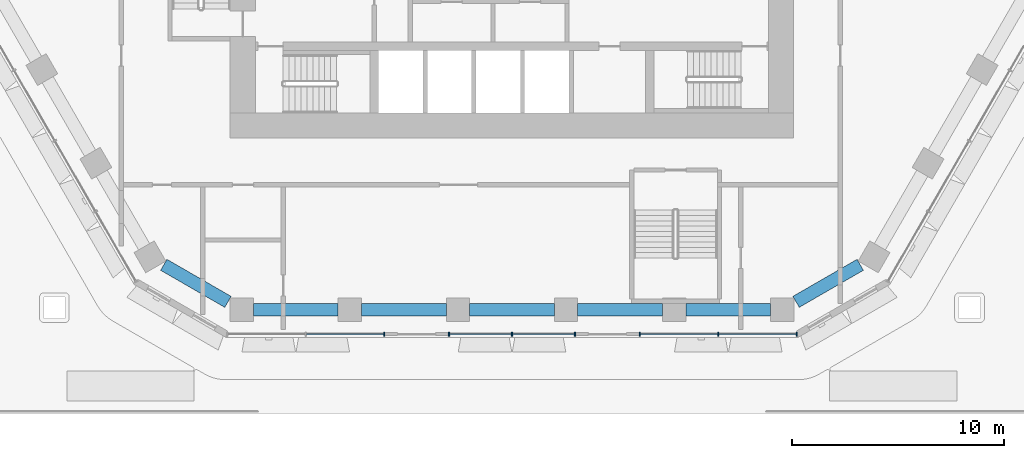
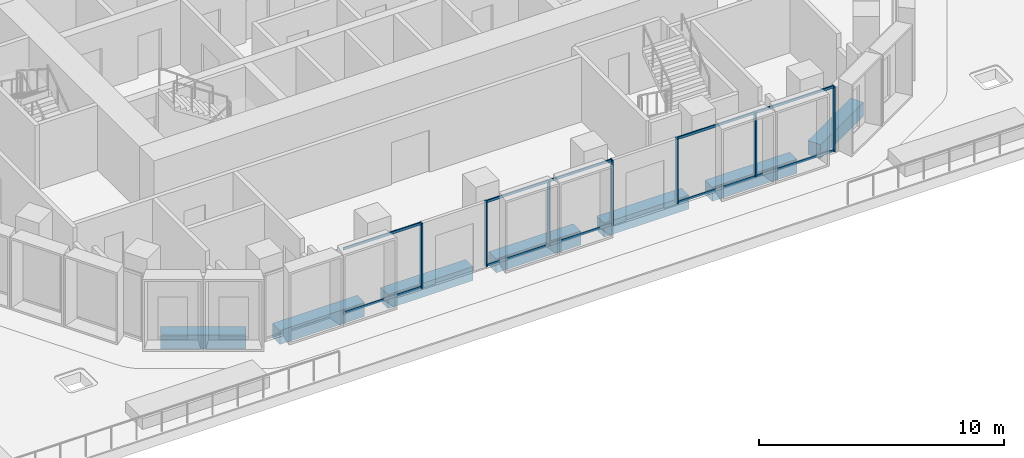
# One storey, part 7 of 38: 17 members, 7 beams, 3 elements without a shape of their own.
"""IFC4 building model written with IfcOpenShell, lengths in metres."""

from ifc_helpers import new_model, si_unit, direction, frame, origin, origin_2d, place, context, subcontext, project, spatial, rectangle, hollow_rectangle, extrude, material, material_profile, profile_set, type_object, element, aggregate, save


model = new_model("IFC4")

# Units and contexts
model_context = context("Model", 3, precision=1e-05, world=origin(), true_north=direction((0.0, 1.0)))
body_context = subcontext(model_context, "Body", "Model", "MODEL_VIEW")
ifc_project = project(units=[si_unit("LENGTHUNIT", "METRE"), si_unit("AREAUNIT", "SQUARE_METRE"), si_unit("VOLUMEUNIT", "CUBIC_METRE"), si_unit("PLANEANGLEUNIT", "RADIAN"), si_unit("MASSUNIT", "GRAM", prefix="KILO")], contexts=[model_context])

# Site, building, storey
site_placement = place(None, origin())
site = spatial("IfcSite", under=ifc_project, at=site_placement, CompositionType="ELEMENT")
building_placement = place(site_placement, origin())
building = spatial("IfcBuilding", under=site, at=building_placement, Name="Beryl Residences", CompositionType="ELEMENT")
storey_placement = place(building_placement, frame((0.0, 0.0, 9.0)))
storey = spatial("IfcBuildingStorey", under=building, at=storey_placement, Name="L02", CompositionType="ELEMENT", Elevation=9.0)

# Curtain wall, member
ifc_material_1 = material(Name="Aluminium and clear glass", Category="aluminium")
curtain_wall_type = type_object("IfcCurtainWallType", Name="CW2 amenity glazing glazed wall", PredefinedType="NOTDEFINED", material=ifc_material_1)
curtain_wall_1_placement = place(storey_placement, origin())
curtain_wall_1 = element("IfcCurtainWall", 1, at=curtain_wall_1_placement, inside=storey, type_object=curtain_wall_type, Name="CW2 L02 S", PredefinedType="NOTDEFINED")
ifc_material_2 = material(Name="Aluminium", Category="aluminium")
ifc_material_profile_1 = material_profile(ifc_material_2, rectangle(XDim=0.06005859375, YDim=0.179931640625, at=origin_2d()))
ifc_profile_set_1 = profile_set([ifc_material_profile_1], Name="Aluminium")
member_type_1 = type_object("IfcMemberType", Name="CW2-M mullion 60 x 180 mm", PredefinedType="MULLION", material=ifc_profile_set_1)
member_1_placement = place(storey_placement, frame((-6.030029296875, -28.25, 0.0), z_axis=(0.0, 0.0, 1.0), x_axis=(1.0, 0.0, 0.0)))
member_1 = element("IfcMember", 2, at=member_1_placement, type_object=member_type_1, Name="CW2 mullion 3", PredefinedType="MULLION", context=body_context, shape_type="SweptSolid", body=[
    extrude(rectangle(XDim=0.06005859375, YDim=0.179931640625, at=origin_2d()), origin(), (0.0, 0.0, 1.0), 3.25),
])

# Curtain wall, members
curtain_wall_2_placement = place(storey_placement, origin())
curtain_wall_2 = element("IfcCurtainWall", 3, at=curtain_wall_2_placement, inside=storey, type_object=curtain_wall_type, Name="CW2 L02 S", PredefinedType="NOTDEFINED")
member_2_placement = place(storey_placement, frame((-2.969970703125, -28.25, 0.0), z_axis=(0.0, 0.0, 1.0), x_axis=(1.0, 0.0, 0.0)))
member_2 = element("IfcMember", 4, at=member_2_placement, type_object=member_type_1, Name="CW2 mullion 1", PredefinedType="MULLION", context=body_context, shape_type="SweptSolid", body=[
    extrude(rectangle(XDim=0.06005859375, YDim=0.179931640625, at=origin_2d()), origin(), (0.0, 0.0, 1.0), 3.25),
])
member_3_placement = place(storey_placement, frame((0.0, -28.25, 0.0), z_axis=(0.0, 0.0, 1.0), x_axis=(1.0, 0.0, 0.0)))
member_3 = element("IfcMember", 5, at=member_3_placement, type_object=member_type_1, Name="CW2 mullion 2", PredefinedType="MULLION", context=body_context, shape_type="SweptSolid", body=[
    extrude(rectangle(XDim=0.06005859375, YDim=0.179931640625, at=origin_2d()), origin(), (0.0, 0.0, 1.0), 3.25),
])
member_4_placement = place(storey_placement, frame((2.969970703125, -28.25, 0.0), z_axis=(0.0, 0.0, 1.0), x_axis=(1.0, 0.0, 0.0)))
member_4 = element("IfcMember", 6, at=member_4_placement, type_object=member_type_1, Name="CW2 mullion 3", PredefinedType="MULLION", context=body_context, shape_type="SweptSolid", body=[
    extrude(rectangle(XDim=0.06005859375, YDim=0.179931640625, at=origin_2d()), origin(), (0.0, 0.0, 1.0), 3.25),
])

curtain_wall_3_placement = place(storey_placement, origin())
curtain_wall_3 = element("IfcCurtainWall", 7, at=curtain_wall_3_placement, inside=storey, type_object=curtain_wall_type, Name="CW2 L02 S", PredefinedType="NOTDEFINED")
member_5_placement = place(storey_placement, frame((6.030029296875, -28.25, 0.0), z_axis=(0.0, 0.0, 1.0), x_axis=(1.0, 0.0, 0.0)))
member_5 = element("IfcMember", 8, at=member_5_placement, type_object=member_type_1, Name="CW2 mullion 1", PredefinedType="MULLION", context=body_context, shape_type="SweptSolid", body=[
    extrude(rectangle(XDim=0.06005859375, YDim=0.179931640625, at=origin_2d()), origin(), (0.0, 0.0, 1.0), 3.25),
])
member_6_placement = place(storey_placement, frame((9.735107421875, -28.25, 0.0), z_axis=(0.0, 0.0, 1.0), x_axis=(1.0, 0.0, 0.0)))
member_6 = element("IfcMember", 9, at=member_6_placement, type_object=member_type_1, Name="CW2 mullion 2", PredefinedType="MULLION", context=body_context, shape_type="SweptSolid", body=[
    extrude(rectangle(XDim=0.06005859375, YDim=0.179931640625, at=origin_2d()), origin(), (0.0, 0.0, 1.0), 3.25),
])
member_7_placement = place(storey_placement, frame((13.43994140625, -28.25, 0.0), z_axis=(0.0, 0.0, 1.0), x_axis=(1.0, 0.0, 0.0)))
member_7 = element("IfcMember", 10, at=member_7_placement, type_object=member_type_1, Name="CW2 mullion 3", PredefinedType="MULLION", context=body_context, shape_type="SweptSolid", body=[
    extrude(rectangle(XDim=0.06005859375, YDim=0.179931640625, at=origin_2d()), origin(), (0.0, 0.0, 1.0), 3.25),
])

# Member
ifc_material_3 = material(Name="Aluminium", Category="aluminium")
ifc_material_profile_2 = material_profile(ifc_material_3, hollow_rectangle(XDim=0.06005859375, YDim=0.1201171875, WallThickness=0.00390625, at=origin_2d()))
ifc_profile_set_2 = profile_set([ifc_material_profile_2], Name="Aluminium")
member_type_2 = type_object("IfcMemberType", Name="CW2-T transom 60 x 120 mm", PredefinedType="USERDEFINED", material=ifc_profile_set_2)
member_8_placement = place(storey_placement, frame((-9.705078125, -28.25, 0.030029296875), z_axis=(1.0, 0.0, 0.0), x_axis=(0.0, 1.0, 0.0)))
member_8 = element("IfcMember", 11, at=member_8_placement, type_object=member_type_2, Name="CW2 transom 2.1", ObjectType="TRANSOM", PredefinedType="USERDEFINED", context=body_context, shape_type="SweptSolid", body=[
    extrude(hollow_rectangle(XDim=0.06005859375, YDim=0.1201171875, WallThickness=0.00390625, at=origin_2d()), origin(), (0.0, 0.0, 1.0), 3.64501953125),
])

member_9_placement = place(storey_placement, frame((-9.705078125, -28.25, 3.219970703125), z_axis=(1.0, 0.0, 0.0), x_axis=(0.0, 1.0, 0.0)))
member_9 = element("IfcMember", 12, at=member_9_placement, type_object=member_type_2, Name="CW2 transom 2.2", ObjectType="TRANSOM", PredefinedType="USERDEFINED", context=body_context, shape_type="SweptSolid", body=[
    extrude(hollow_rectangle(XDim=0.06005859375, YDim=0.1201171875, WallThickness=0.00390625, at=origin_2d()), origin(), (0.0, 0.0, 1.0), 3.64501953125),
])

aggregate(curtain_wall_1, [member_1, member_8, member_9])

member_10_placement = place(storey_placement, frame((-2.93994140625, -28.25, 0.030029296875), z_axis=(1.0, 0.0, 0.0), x_axis=(0.0, 1.0, 0.0)))
member_10 = element("IfcMember", 13, at=member_10_placement, type_object=member_type_2, Name="CW2 transom 1.1", ObjectType="TRANSOM", PredefinedType="USERDEFINED", context=body_context, shape_type="SweptSolid", body=[
    extrude(hollow_rectangle(XDim=0.06005859375, YDim=0.1201171875, WallThickness=0.00390625, at=origin_2d()), origin(), (0.0, 0.0, 1.0), 2.909912109375),
])

member_11_placement = place(storey_placement, frame((-2.93994140625, -28.25, 3.219970703125), z_axis=(1.0, 0.0, 0.0), x_axis=(0.0, 1.0, 0.0)))
member_11 = element("IfcMember", 14, at=member_11_placement, type_object=member_type_2, Name="CW2 transom 1.2", ObjectType="TRANSOM", PredefinedType="USERDEFINED", context=body_context, shape_type="SweptSolid", body=[
    extrude(hollow_rectangle(XDim=0.06005859375, YDim=0.1201171875, WallThickness=0.00390625, at=origin_2d()), origin(), (0.0, 0.0, 1.0), 2.909912109375),
])

member_12_placement = place(storey_placement, frame((0.030029296875, -28.25, 0.030029296875), z_axis=(1.0, 0.0, 0.0), x_axis=(0.0, 1.0, 0.0)))
member_12 = element("IfcMember", 15, at=member_12_placement, type_object=member_type_2, Name="CW2 transom 2.1", ObjectType="TRANSOM", PredefinedType="USERDEFINED", context=body_context, shape_type="SweptSolid", body=[
    extrude(hollow_rectangle(XDim=0.06005859375, YDim=0.1201171875, WallThickness=0.00390625, at=origin_2d()), origin(), (0.0, 0.0, 1.0), 2.909912109375),
])

member_13_placement = place(storey_placement, frame((0.030029296875, -28.25, 3.219970703125), z_axis=(1.0, 0.0, 0.0), x_axis=(0.0, 1.0, 0.0)))
member_13 = element("IfcMember", 16, at=member_13_placement, type_object=member_type_2, Name="CW2 transom 2.2", ObjectType="TRANSOM", PredefinedType="USERDEFINED", context=body_context, shape_type="SweptSolid", body=[
    extrude(hollow_rectangle(XDim=0.06005859375, YDim=0.1201171875, WallThickness=0.00390625, at=origin_2d()), origin(), (0.0, 0.0, 1.0), 2.909912109375),
])

aggregate(curtain_wall_2, [member_2, member_3, member_4, member_10, member_11, member_12, member_13])

member_14_placement = place(storey_placement, frame((6.06005859375, -28.25, 0.030029296875), z_axis=(1.0, 0.0, 0.0), x_axis=(0.0, 1.0, 0.0)))
member_14 = element("IfcMember", 17, at=member_14_placement, type_object=member_type_2, Name="CW2 transom 1.1", ObjectType="TRANSOM", PredefinedType="USERDEFINED", context=body_context, shape_type="SweptSolid", body=[
    extrude(hollow_rectangle(XDim=0.06005859375, YDim=0.1201171875, WallThickness=0.00390625, at=origin_2d()), origin(), (0.0, 0.0, 1.0), 3.64501953125),
])

member_15_placement = place(storey_placement, frame((6.06005859375, -28.25, 3.219970703125), z_axis=(1.0, 0.0, 0.0), x_axis=(0.0, 1.0, 0.0)))
member_15 = element("IfcMember", 18, at=member_15_placement, type_object=member_type_2, Name="CW2 transom 1.2", ObjectType="TRANSOM", PredefinedType="USERDEFINED", context=body_context, shape_type="SweptSolid", body=[
    extrude(hollow_rectangle(XDim=0.06005859375, YDim=0.1201171875, WallThickness=0.00390625, at=origin_2d()), origin(), (0.0, 0.0, 1.0), 3.64501953125),
])

member_16_placement = place(storey_placement, frame((9.764892578125, -28.25, 0.030029296875), z_axis=(1.0, 0.0, 0.0), x_axis=(0.0, 1.0, 0.0)))
member_16 = element("IfcMember", 19, at=member_16_placement, type_object=member_type_2, Name="CW2 transom 2.1", ObjectType="TRANSOM", PredefinedType="USERDEFINED", context=body_context, shape_type="SweptSolid", body=[
    extrude(hollow_rectangle(XDim=0.06005859375, YDim=0.1201171875, WallThickness=0.00390625, at=origin_2d()), origin(), (0.0, 0.0, 1.0), 3.64501953125),
])

member_17_placement = place(storey_placement, frame((9.764892578125, -28.25, 3.219970703125), z_axis=(1.0, 0.0, 0.0), x_axis=(0.0, 1.0, 0.0)))
member_17 = element("IfcMember", 20, at=member_17_placement, type_object=member_type_2, Name="CW2 transom 2.2", ObjectType="TRANSOM", PredefinedType="USERDEFINED", context=body_context, shape_type="SweptSolid", body=[
    extrude(hollow_rectangle(XDim=0.06005859375, YDim=0.1201171875, WallThickness=0.00390625, at=origin_2d()), origin(), (0.0, 0.0, 1.0), 3.64501953125),
])

aggregate(curtain_wall_3, [member_5, member_6, member_7, member_14, member_15, member_16, member_17])

# Beams
ifc_material_4 = material(Name="Concrete C80/95", Category="concrete")
ifc_material_profile_3 = material_profile(ifc_material_4, rectangle(XDim=0.60009765625, YDim=0.699951171875, at=origin_2d()))
ifc_profile_set_3 = profile_set([ifc_material_profile_3], Name="Concrete C80/95")
beam_type = type_object("IfcBeamType", Name="SB1 spandrel beam 600 x 700 C80/95", PredefinedType="SPANDREL", material=ifc_profile_set_3)
beam_1_placement = place(storey_placement, frame((-16.43896484375, -24.97607421875, -0.85009765625), z_axis=(0.866070549782, -0.499921796684, 0.0), x_axis=(0.499921796684, 0.866070549782, 0.0)))
element("IfcBeam", 21, at=beam_1_placement, inside=storey, type_object=beam_type, Name="SB1 L02 SW-5", PredefinedType="SPANDREL", context=body_context, shape_type="SweptSolid", body=[
    extrude(rectangle(XDim=0.60009765625, YDim=0.699951171875, at=origin_2d()), origin(), (0.0, 0.0, 1.0), 3.49853515625),
])
for number, where, z_axis, x_axis, name in (
    (22, (-12.208984375, -27.10009765625, -0.85009765625), (1.0, 0.0, 0.0), (0.0, 1.0, 0.0), "SB1 L02 S-0"),
    (23, (-7.10498046875, -27.10009765625, -0.85009765625), (1.0, 0.0, 0.0), (0.0, 1.0, 0.0), "SB1 L02 S-1"),
    (24, (-2.0009765625, -27.10009765625, -0.85009765625), (1.0, 0.0, 0.0), (0.0, 1.0, 0.0), "SB1 L02 S-2"),
    (25, (3.10302734375, -27.10009765625, -0.85009765625), (1.0, 0.0, 0.0), (0.0, 1.0, 0.0), "SB1 L02 S-3"),
    (26, (8.20703125, -27.10009765625, -0.85009765625), (1.0, 0.0, 0.0), (0.0, 1.0, 0.0), "SB1 L02 S-4"),
):
    element("IfcBeam", number, at=place(storey_placement, frame(where, z_axis=z_axis, x_axis=x_axis)), inside=storey, type_object=beam_type, Name=name, PredefinedType="SPANDREL", context=body_context, shape_type="SweptSolid", body=[
        extrude(rectangle(XDim=0.60009765625, YDim=0.699951171875, at=origin_2d()), origin(), (0.0, 0.0, 1.0), 4.00390625),
    ])
beam_2_placement = place(storey_placement, frame((13.410888671875, -26.72412109375, -0.85009765625), z_axis=(0.866121658299, 0.499833245218, 0.0), x_axis=(-0.499833245218, 0.866121658299, 0.0)))
element("IfcBeam", 27, at=beam_2_placement, inside=storey, type_object=beam_type, Name="SB1 L02 S-5", PredefinedType="SPANDREL", context=body_context, shape_type="SweptSolid", body=[
    extrude(rectangle(XDim=0.60009765625, YDim=0.699951171875, at=origin_2d()), origin(), (0.0, 0.0, 1.0), 3.497314453125),
])

save(model, "model.ifc")
